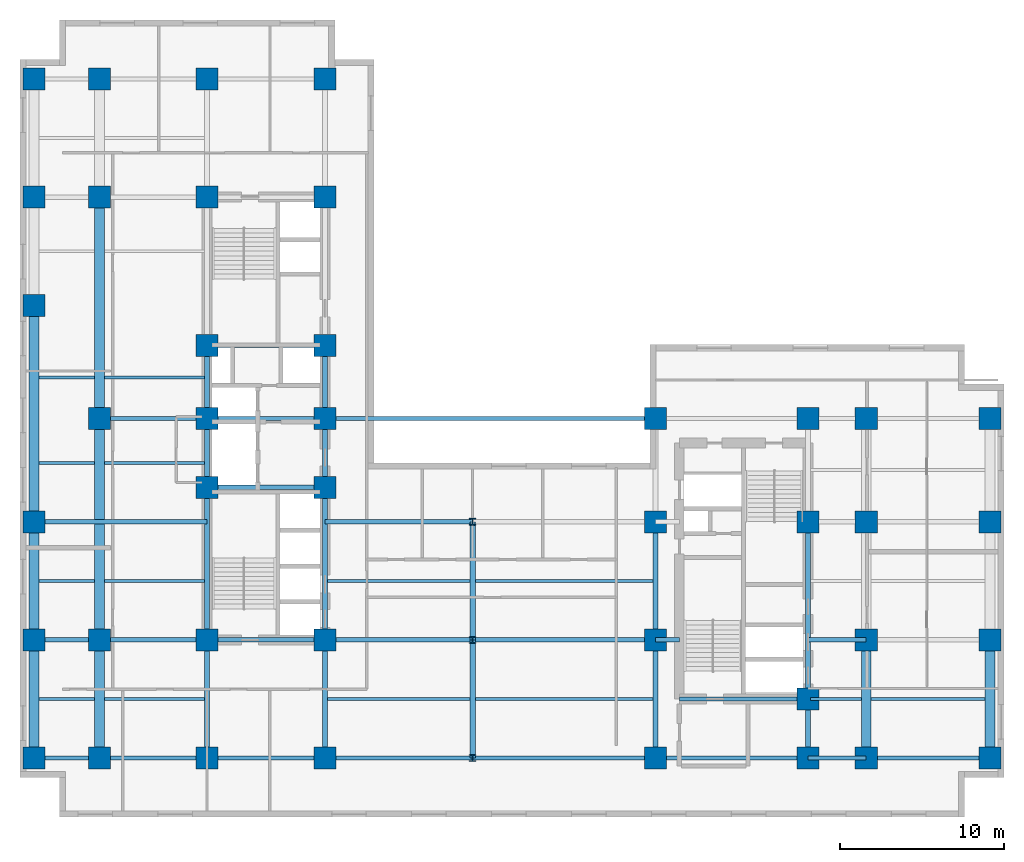
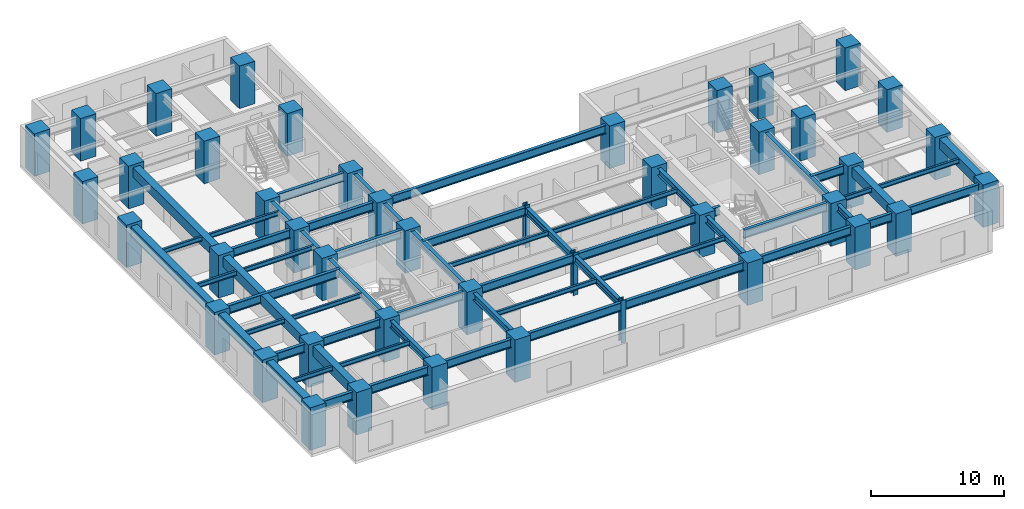
# One storey, part 1 of 9: 59 beams, 44 columns.
"""IFC4 building model written with IfcOpenShell, lengths in metres."""

from ifc_helpers import new_model, entity, si_unit, converted_unit, direction, frame, origin_with_axes, origin_2d_with_axis, place, context, subcontext, project, spatial, rectangle, i_section, extrude, material, material_profile, profile_set, type_object, element, save


model = new_model("IFC4")

# Units and contexts
model_context = context("Model", 3, precision=1e-05, world=origin_with_axes(), true_north=direction((0.0, 1.0)))
body_context = subcontext(model_context, "Body", "Model", "MODEL_VIEW")
ifc_project = project(units=[si_unit("LENGTHUNIT", "METRE"), si_unit("AREAUNIT", "SQUARE_METRE"), si_unit("VOLUMEUNIT", "CUBIC_METRE"), converted_unit("PLANEANGLEUNIT", "DEGREE", entity("IfcPlaneAngleMeasure", 0.017453292519943295), si_unit("PLANEANGLEUNIT", "RADIAN"), dimensions=[0, 0, 0, 0, 0, 0, 0]), si_unit("MASSUNIT", "GRAM", prefix="KILO"), si_unit("THERMODYNAMICTEMPERATUREUNIT", "KELVIN")], contexts=[model_context])

# Site, building, storey
site_placement = place(None, origin_with_axes())
site = spatial("IfcSite", under=ifc_project, at=site_placement, CompositionType="ELEMENT")
building_placement = place(site_placement, origin_with_axes())
building = spatial("IfcBuilding", under=site, at=building_placement, Name="Varnlund Millrace Tower", CompositionType="ELEMENT")
storey_placement = place(building_placement, frame((0.0, 0.0, 71.7), z_axis=(0.0, 0.0, 1.0), x_axis=(1.0, 0.0, 0.0)))
storey = spatial("IfcBuildingStorey", under=building, at=storey_placement, Name="L17", CompositionType="ELEMENT", Elevation=71.7)

# Columns
ifc_material_1 = material(Name="Steel ASTM A913 Grade 65", Category="steel")
ifc_material_profile_1 = material_profile(ifc_material_1, i_section(OverallWidth=0.406, OverallDepth=0.416, WebThickness=0.0298, FlangeThickness=0.048, FilletRadius=0.022, at=origin_2d_with_axis()), Name="Steel ASTM A913 Grade 65")
ifc_profile_set_1 = profile_set([ifc_material_profile_1], Name="Steel ASTM A913 Grade 65")
column_type_1 = type_object("IfcColumnType", Name="Type-Col-Int-W14X257", PredefinedType="COLUMN", material=ifc_profile_set_1)
for number, where, z_axis, x_axis, name in (
    (1, (27.6, 3.6, 0.0), (0.0, 0.0, 1.0), (1.0, 0.0, 0.0), "Type-Col-Int-W14X257"),
    (2, (27.6, 10.8, 0.0), (0.0, 0.0, 1.0), (1.0, 0.0, 0.0), "Type-Col-Int-W14X257"),
    (3, (27.6, 18.0, 0.0), (0.0, 0.0, 1.0), (1.0, 0.0, 0.0), "Type-Col-Int-W14X257"),
):
    element("IfcColumn", number, at=place(storey_placement, frame(where, z_axis=z_axis, x_axis=x_axis)), inside=storey, type_object=column_type_1, Name=name, PredefinedType="COLUMN", context=body_context, shape_type="SweptSolid", body=[
        extrude(i_section(OverallWidth=0.406, OverallDepth=0.416, WebThickness=0.0298, FlangeThickness=0.048, FilletRadius=0.022, at=origin_2d_with_axis()), origin_with_axes(), (0.0, 0.0, 1.0), 3.9),
    ])
ifc_material_2 = material(Name="Concrete C80/95", Category="concrete")
ifc_material_profile_2 = material_profile(ifc_material_2, rectangle(XDim=1.35, YDim=1.35, at=origin_2d_with_axis()), Name="Concrete C80/95")
ifc_profile_set_2 = profile_set([ifc_material_profile_2], Name="Concrete C80/95")
column_type_2 = type_object("IfcColumnType", Name="Type-Col-RC1350-C80", PredefinedType="COLUMN", material=ifc_profile_set_2)
for number, where, z_axis, x_axis, name in (
    (4, (11.4, 3.6, 0.0), (0.0, 0.0, 1.0), (1.0, 0.0, 0.0), "Type-Col-RC1350-C80"),
    (5, (11.4, 10.8, 0.0), (0.0, 0.0, 1.0), (1.0, 0.0, 0.0), "Type-Col-RC1350-C80"),
    (6, (11.4, 20.1, 0.0), (0.0, 0.0, 1.0), (1.0, 0.0, 0.0), "Type-Col-RC1350-C80"),
    (7, (11.4, 24.3, 0.0), (0.0, 0.0, 1.0), (1.0, 0.0, 0.0), "Type-Col-RC1350-C80"),
    (8, (11.4, 28.75, 0.0), (0.0, 0.0, 1.0), (1.0, 0.0, 0.0), "Type-Col-RC1350-C80"),
    (9, (11.4, 37.8, 0.0), (0.0, 0.0, 1.0), (1.0, 0.0, 0.0), "Type-Col-RC1350-C80"),
    (10, (11.4, 45.0, 0.0), (0.0, 0.0, 1.0), (1.0, 0.0, 0.0), "Type-Col-RC1350-C80"),
    (11, (18.6, 3.6, 0.0), (0.0, 0.0, 1.0), (1.0, 0.0, 0.0), "Type-Col-RC1350-C80"),
    (12, (18.6, 10.8, 0.0), (0.0, 0.0, 1.0), (1.0, 0.0, 0.0), "Type-Col-RC1350-C80"),
    (13, (18.6, 20.1, 0.0), (0.0, 0.0, 1.0), (1.0, 0.0, 0.0), "Type-Col-RC1350-C80"),
    (14, (18.6, 24.3, 0.0), (0.0, 0.0, 1.0), (1.0, 0.0, 0.0), "Type-Col-RC1350-C80"),
    (15, (18.6, 28.75, 0.0), (0.0, 0.0, 1.0), (1.0, 0.0, 0.0), "Type-Col-RC1350-C80"),
    (16, (18.6, 37.8, 0.0), (0.0, 0.0, 1.0), (1.0, 0.0, 0.0), "Type-Col-RC1350-C80"),
    (17, (18.6, 45.0, 0.0), (0.0, 0.0, 1.0), (1.0, 0.0, 0.0), "Type-Col-RC1350-C80"),
    (18, (4.85, 3.6, 0.0), (0.0, 0.0, 1.0), (1.0, 0.0, 0.0), "Type-Col-RC1350-C80"),
    (19, (4.85, 10.8, 0.0), (0.0, 0.0, 1.0), (1.0, 0.0, 0.0), "Type-Col-RC1350-C80"),
    (20, (4.85, 24.3, 0.0), (0.0, 0.0, 1.0), (1.0, 0.0, 0.0), "Type-Col-RC1350-C80"),
    (21, (4.85, 37.8, 0.0), (0.0, 0.0, 1.0), (1.0, 0.0, 0.0), "Type-Col-RC1350-C80"),
    (22, (4.85, 45.0, 0.0), (0.0, 0.0, 1.0), (1.0, 0.0, 0.0), "Type-Col-RC1350-C80"),
    (23, (0.85, 3.6, 0.0), (0.0, 0.0, 1.0), (1.0, 0.0, 0.0), "Type-Col-RC1350-C80"),
    (24, (0.85, 10.8, 0.0), (0.0, 0.0, 1.0), (1.0, 0.0, 0.0), "Type-Col-RC1350-C80"),
    (25, (0.85, 18.0, 0.0), (0.0, 0.0, 1.0), (1.0, 0.0, 0.0), "Type-Col-RC1350-C80"),
    (26, (0.85, 31.2, 0.0), (0.0, 0.0, 1.0), (1.0, 0.0, 0.0), "Type-Col-RC1350-C80"),
    (27, (0.85, 37.8, 0.0), (0.0, 0.0, 1.0), (1.0, 0.0, 0.0), "Type-Col-RC1350-C80"),
    (28, (0.85, 45.0, 0.0), (0.0, 0.0, 1.0), (1.0, 0.0, 0.0), "Type-Col-RC1350-C80"),
    (29, (38.75, 3.6, 0.0), (0.0, 0.0, 1.0), (1.0, 0.0, 0.0), "Type-Col-RC1350-C80"),
    (30, (38.75, 10.8, 0.0), (0.0, 0.0, 1.0), (1.0, 0.0, 0.0), "Type-Col-RC1350-C80"),
    (31, (38.75, 18.0, 0.0), (0.0, 0.0, 1.0), (1.0, 0.0, 0.0), "Type-Col-RC1350-C80"),
    (32, (38.75, 24.3, 0.0), (0.0, 0.0, 1.0), (1.0, 0.0, 0.0), "Type-Col-RC1350-C80"),
    (33, (48.05, 3.6, 0.0), (0.0, 0.0, 1.0), (1.0, 0.0, 0.0), "Type-Col-RC1350-C80"),
    (34, (48.05, 7.2, 0.0), (0.0, 0.0, 1.0), (1.0, 0.0, 0.0), "Type-Col-RC1350-C80"),
    (35, (48.05, 18.0, 0.0), (0.0, 0.0, 1.0), (1.0, 0.0, 0.0), "Type-Col-RC1350-C80"),
    (36, (48.05, 24.3, 0.0), (0.0, 0.0, 1.0), (1.0, 0.0, 0.0), "Type-Col-RC1350-C80"),
    (37, (51.6, 3.6, 0.0), (0.0, 0.0, 1.0), (1.0, 0.0, 0.0), "Type-Col-RC1350-C80"),
    (38, (51.6, 10.8, 0.0), (0.0, 0.0, 1.0), (1.0, 0.0, 0.0), "Type-Col-RC1350-C80"),
    (39, (51.6, 18.0, 0.0), (0.0, 0.0, 1.0), (1.0, 0.0, 0.0), "Type-Col-RC1350-C80"),
    (40, (51.6, 24.3, 0.0), (0.0, 0.0, 1.0), (1.0, 0.0, 0.0), "Type-Col-RC1350-C80"),
    (41, (59.15, 3.6, 0.0), (0.0, 0.0, 1.0), (1.0, 0.0, 0.0), "Type-Col-RC1350-C80"),
    (42, (59.15, 10.8, 0.0), (0.0, 0.0, 1.0), (1.0, 0.0, 0.0), "Type-Col-RC1350-C80"),
    (43, (59.15, 18.0, 0.0), (0.0, 0.0, 1.0), (1.0, 0.0, 0.0), "Type-Col-RC1350-C80"),
    (44, (59.15, 24.3, 0.0), (0.0, 0.0, 1.0), (1.0, 0.0, 0.0), "Type-Col-RC1350-C80"),
):
    element("IfcColumn", number, at=place(storey_placement, frame(where, z_axis=z_axis, x_axis=x_axis)), inside=storey, type_object=column_type_2, Name=name, PredefinedType="COLUMN", context=body_context, shape_type="SweptSolid", body=[
        extrude(rectangle(XDim=1.35, YDim=1.35, at=origin_2d_with_axis()), origin_with_axes(), (0.0, 0.0, 1.0), 3.9),
    ])

# Beams
ifc_material_3 = material(Name="Steel ASTM A992 Grade 50", Category="steel")
ifc_material_profile_3 = material_profile(ifc_material_3, i_section(OverallWidth=0.328, OverallDepth=0.628, WebThickness=0.0165, FlangeThickness=0.0277, FilletRadius=0.018, at=origin_2d_with_axis()), Name="Steel ASTM A992 Grade 50")
ifc_profile_set_3 = profile_set([ifc_material_profile_3], Name="Steel ASTM A992 Grade 50")
beam_type_1 = type_object("IfcBeamType", Name="Type-Girder-W24X146", PredefinedType="USERDEFINED", material=ifc_profile_set_3)
beam_1_placement = place(storey_placement, frame((11.4, 3.6, 3.346), z_axis=(0.0, 1.0, 0.0), x_axis=(-1.0, 0.0, 0.0)))
element("IfcBeam", 45, at=beam_1_placement, inside=storey, type_object=beam_type_1, Name="Type-Girder-W24X146", ObjectType="GIRDER", PredefinedType="USERDEFINED", context=body_context, shape_type="SweptSolid", body=[
    extrude(i_section(OverallWidth=0.328, OverallDepth=0.628, WebThickness=0.0165, FlangeThickness=0.0277, FilletRadius=0.018, at=origin_2d_with_axis()), origin_with_axes(), (0.0, 0.0, 1.0), 7.2),
])
beam_2_placement = place(storey_placement, frame((11.4, 10.8, 3.346), z_axis=(0.0, 1.0, 0.0), x_axis=(-1.0, 0.0, 0.0)))
element("IfcBeam", 46, at=beam_2_placement, inside=storey, type_object=beam_type_1, Name="Type-Girder-W24X146", ObjectType="GIRDER", PredefinedType="USERDEFINED", context=body_context, shape_type="SweptSolid", body=[
    extrude(i_section(OverallWidth=0.328, OverallDepth=0.628, WebThickness=0.0165, FlangeThickness=0.0277, FilletRadius=0.018, at=origin_2d_with_axis()), origin_with_axes(), (0.0, 0.0, 1.0), 9.3),
])
beam_3_placement = place(storey_placement, frame((11.4, 20.1, 3.346), z_axis=(0.0, 1.0, 0.0), x_axis=(-1.0, 0.0, 0.0)))
element("IfcBeam", 47, at=beam_3_placement, inside=storey, type_object=beam_type_1, Name="Type-Girder-W24X146", ObjectType="GIRDER", PredefinedType="USERDEFINED", context=body_context, shape_type="SweptSolid", body=[
    extrude(i_section(OverallWidth=0.328, OverallDepth=0.628, WebThickness=0.0165, FlangeThickness=0.0277, FilletRadius=0.018, at=origin_2d_with_axis()), origin_with_axes(), (0.0, 0.0, 1.0), 4.2),
])
beam_4_placement = place(storey_placement, frame((11.4, 24.3, 3.346), z_axis=(0.0, 1.0, 0.0), x_axis=(-1.0, 0.0, 0.0)))
element("IfcBeam", 48, at=beam_4_placement, inside=storey, type_object=beam_type_1, Name="Type-Girder-W24X146", ObjectType="GIRDER", PredefinedType="USERDEFINED", context=body_context, shape_type="SweptSolid", body=[
    extrude(i_section(OverallWidth=0.328, OverallDepth=0.628, WebThickness=0.0165, FlangeThickness=0.0277, FilletRadius=0.018, at=origin_2d_with_axis()), origin_with_axes(), (0.0, 0.0, 1.0), 4.45),
])
beam_5_placement = place(storey_placement, frame((18.6, 3.6, 3.346), z_axis=(0.0, 1.0, 0.0), x_axis=(-1.0, 0.0, 0.0)))
element("IfcBeam", 49, at=beam_5_placement, inside=storey, type_object=beam_type_1, Name="Type-Girder-W24X146", ObjectType="GIRDER", PredefinedType="USERDEFINED", context=body_context, shape_type="SweptSolid", body=[
    extrude(i_section(OverallWidth=0.328, OverallDepth=0.628, WebThickness=0.0165, FlangeThickness=0.0277, FilletRadius=0.018, at=origin_2d_with_axis()), origin_with_axes(), (0.0, 0.0, 1.0), 7.2),
])
beam_6_placement = place(storey_placement, frame((18.6, 10.8, 3.346), z_axis=(0.0, 1.0, 0.0), x_axis=(-1.0, 0.0, 0.0)))
element("IfcBeam", 50, at=beam_6_placement, inside=storey, type_object=beam_type_1, Name="Type-Girder-W24X146", ObjectType="GIRDER", PredefinedType="USERDEFINED", context=body_context, shape_type="SweptSolid", body=[
    extrude(i_section(OverallWidth=0.328, OverallDepth=0.628, WebThickness=0.0165, FlangeThickness=0.0277, FilletRadius=0.018, at=origin_2d_with_axis()), origin_with_axes(), (0.0, 0.0, 1.0), 9.3),
])
beam_7_placement = place(storey_placement, frame((18.6, 20.1, 3.346), z_axis=(0.0, 1.0, 0.0), x_axis=(-1.0, 0.0, 0.0)))
element("IfcBeam", 51, at=beam_7_placement, inside=storey, type_object=beam_type_1, Name="Type-Girder-W24X146", ObjectType="GIRDER", PredefinedType="USERDEFINED", context=body_context, shape_type="SweptSolid", body=[
    extrude(i_section(OverallWidth=0.328, OverallDepth=0.628, WebThickness=0.0165, FlangeThickness=0.0277, FilletRadius=0.018, at=origin_2d_with_axis()), origin_with_axes(), (0.0, 0.0, 1.0), 4.2),
])
beam_8_placement = place(storey_placement, frame((18.6, 24.3, 3.346), z_axis=(0.0, 1.0, 0.0), x_axis=(-1.0, 0.0, 0.0)))
element("IfcBeam", 52, at=beam_8_placement, inside=storey, type_object=beam_type_1, Name="Type-Girder-W24X146", ObjectType="GIRDER", PredefinedType="USERDEFINED", context=body_context, shape_type="SweptSolid", body=[
    extrude(i_section(OverallWidth=0.328, OverallDepth=0.628, WebThickness=0.0165, FlangeThickness=0.0277, FilletRadius=0.018, at=origin_2d_with_axis()), origin_with_axes(), (0.0, 0.0, 1.0), 4.45),
])
for number, where, z_axis, x_axis, name in (
    (53, (27.6, 3.6, 3.346), (0.0, 1.0, 0.0), (-1.0, 0.0, 0.0), "Type-Girder-W24X146"),
    (54, (27.6, 10.8, 3.346), (0.0, 1.0, 0.0), (-1.0, 0.0, 0.0), "Type-Girder-W24X146"),
    (55, (38.75, 3.6, 3.346), (0.0, 1.0, 0.0), (-1.0, 0.0, 0.0), "Type-Girder-W24X146"),
    (56, (38.75, 10.8, 3.346), (0.0, 1.0, 0.0), (-1.0, 0.0, 0.0), "Type-Girder-W24X146"),
):
    element("IfcBeam", number, at=place(storey_placement, frame(where, z_axis=z_axis, x_axis=x_axis)), inside=storey, type_object=beam_type_1, Name=name, ObjectType="GIRDER", PredefinedType="USERDEFINED", context=body_context, shape_type="SweptSolid", body=[
        extrude(i_section(OverallWidth=0.328, OverallDepth=0.628, WebThickness=0.0165, FlangeThickness=0.0277, FilletRadius=0.018, at=origin_2d_with_axis()), origin_with_axes(), (0.0, 0.0, 1.0), 7.2),
    ])
beam_9_placement = place(storey_placement, frame((48.05, 3.6, 3.346), z_axis=(0.0, 1.0, 0.0), x_axis=(-1.0, 0.0, 0.0)))
element("IfcBeam", 57, at=beam_9_placement, inside=storey, type_object=beam_type_1, Name="Type-Girder-W24X146", ObjectType="GIRDER", PredefinedType="USERDEFINED", context=body_context, shape_type="SweptSolid", body=[
    extrude(i_section(OverallWidth=0.328, OverallDepth=0.628, WebThickness=0.0165, FlangeThickness=0.0277, FilletRadius=0.018, at=origin_2d_with_axis()), origin_with_axes(), (0.0, 0.0, 1.0), 3.6),
])
beam_10_placement = place(storey_placement, frame((48.05, 7.2, 3.346), z_axis=(0.0, 1.0, 0.0), x_axis=(-1.0, 0.0, 0.0)))
element("IfcBeam", 58, at=beam_10_placement, inside=storey, type_object=beam_type_1, Name="Type-Girder-W24X146", ObjectType="GIRDER", PredefinedType="USERDEFINED", context=body_context, shape_type="SweptSolid", body=[
    extrude(i_section(OverallWidth=0.328, OverallDepth=0.628, WebThickness=0.0165, FlangeThickness=0.0277, FilletRadius=0.018, at=origin_2d_with_axis()), origin_with_axes(), (0.0, 0.0, 1.0), 10.8),
])
ifc_material_profile_4 = material_profile(ifc_material_3, i_section(OverallWidth=0.266, OverallDepth=0.779, WebThickness=0.0165, FlangeThickness=0.03, FilletRadius=0.02, at=origin_2d_with_axis()), Name="Steel ASTM A992 Grade 50")
ifc_profile_set_4 = profile_set([ifc_material_profile_4], Name="Steel ASTM A992 Grade 50")
beam_type_2 = type_object("IfcBeamType", Name="Type-Girder-W30X148", PredefinedType="USERDEFINED", material=ifc_profile_set_4)
beam_11_placement = place(storey_placement, frame((0.85, 3.6, 3.2705), z_axis=(1.0, 0.0, 0.0), x_axis=(0.0, 1.0, 0.0)))
element("IfcBeam", 59, at=beam_11_placement, inside=storey, type_object=beam_type_2, Name="Type-Girder-W30X148", ObjectType="GIRDER", PredefinedType="USERDEFINED", context=body_context, shape_type="SweptSolid", body=[
    extrude(i_section(OverallWidth=0.266, OverallDepth=0.779, WebThickness=0.0165, FlangeThickness=0.03, FilletRadius=0.02, at=origin_2d_with_axis()), origin_with_axes(), (0.0, 0.0, 1.0), 4.0),
])
beam_12_placement = place(storey_placement, frame((4.85, 3.6, 3.2705), z_axis=(1.0, 0.0, 0.0), x_axis=(0.0, 1.0, 0.0)))
element("IfcBeam", 60, at=beam_12_placement, inside=storey, type_object=beam_type_2, Name="Type-Girder-W30X148", ObjectType="GIRDER", PredefinedType="USERDEFINED", context=body_context, shape_type="SweptSolid", body=[
    extrude(i_section(OverallWidth=0.266, OverallDepth=0.779, WebThickness=0.0165, FlangeThickness=0.03, FilletRadius=0.02, at=origin_2d_with_axis()), origin_with_axes(), (0.0, 0.0, 1.0), 6.55),
])
beam_13_placement = place(storey_placement, frame((11.4, 3.6, 3.2705), z_axis=(1.0, 0.0, 0.0), x_axis=(0.0, 1.0, 0.0)))
element("IfcBeam", 61, at=beam_13_placement, inside=storey, type_object=beam_type_2, Name="Type-Girder-W30X148", ObjectType="GIRDER", PredefinedType="USERDEFINED", context=body_context, shape_type="SweptSolid", body=[
    extrude(i_section(OverallWidth=0.266, OverallDepth=0.779, WebThickness=0.0165, FlangeThickness=0.03, FilletRadius=0.02, at=origin_2d_with_axis()), origin_with_axes(), (0.0, 0.0, 1.0), 7.2),
])
beam_14_placement = place(storey_placement, frame((18.6, 3.6, 3.2705), z_axis=(1.0, 0.0, 0.0), x_axis=(0.0, 1.0, 0.0)))
element("IfcBeam", 62, at=beam_14_placement, inside=storey, type_object=beam_type_2, Name="Type-Girder-W30X148", ObjectType="GIRDER", PredefinedType="USERDEFINED", context=body_context, shape_type="SweptSolid", body=[
    extrude(i_section(OverallWidth=0.266, OverallDepth=0.779, WebThickness=0.0165, FlangeThickness=0.03, FilletRadius=0.02, at=origin_2d_with_axis()), origin_with_axes(), (0.0, 0.0, 1.0), 9.0),
])
beam_15_placement = place(storey_placement, frame((27.6, 3.6, 3.2705), z_axis=(1.0, 0.0, 0.0), x_axis=(0.0, 1.0, 0.0)))
element("IfcBeam", 63, at=beam_15_placement, inside=storey, type_object=beam_type_2, Name="Type-Girder-W30X148", ObjectType="GIRDER", PredefinedType="USERDEFINED", context=body_context, shape_type="SweptSolid", body=[
    extrude(i_section(OverallWidth=0.266, OverallDepth=0.779, WebThickness=0.0165, FlangeThickness=0.03, FilletRadius=0.02, at=origin_2d_with_axis()), origin_with_axes(), (0.0, 0.0, 1.0), 11.15),
])
beam_16_placement = place(storey_placement, frame((38.75, 3.6, 3.2705), z_axis=(1.0, 0.0, 0.0), x_axis=(0.0, 1.0, 0.0)))
element("IfcBeam", 64, at=beam_16_placement, inside=storey, type_object=beam_type_2, Name="Type-Girder-W30X148", ObjectType="GIRDER", PredefinedType="USERDEFINED", context=body_context, shape_type="SweptSolid", body=[
    extrude(i_section(OverallWidth=0.266, OverallDepth=0.779, WebThickness=0.0165, FlangeThickness=0.03, FilletRadius=0.02, at=origin_2d_with_axis()), origin_with_axes(), (0.0, 0.0, 1.0), 9.3),
])
beam_17_placement = place(storey_placement, frame((48.05, 3.6, 3.2705), z_axis=(1.0, 0.0, 0.0), x_axis=(0.0, 1.0, 0.0)))
element("IfcBeam", 65, at=beam_17_placement, inside=storey, type_object=beam_type_2, Name="Type-Girder-W30X148", ObjectType="GIRDER", PredefinedType="USERDEFINED", context=body_context, shape_type="SweptSolid", body=[
    extrude(i_section(OverallWidth=0.266, OverallDepth=0.779, WebThickness=0.0165, FlangeThickness=0.03, FilletRadius=0.02, at=origin_2d_with_axis()), origin_with_axes(), (0.0, 0.0, 1.0), 3.55),
])
beam_18_placement = place(storey_placement, frame((51.6, 3.6, 3.2705), z_axis=(1.0, 0.0, 0.0), x_axis=(0.0, 1.0, 0.0)))
element("IfcBeam", 66, at=beam_18_placement, inside=storey, type_object=beam_type_2, Name="Type-Girder-W30X148", ObjectType="GIRDER", PredefinedType="USERDEFINED", context=body_context, shape_type="SweptSolid", body=[
    extrude(i_section(OverallWidth=0.266, OverallDepth=0.779, WebThickness=0.0165, FlangeThickness=0.03, FilletRadius=0.02, at=origin_2d_with_axis()), origin_with_axes(), (0.0, 0.0, 1.0), 7.55),
])
beam_19_placement = place(storey_placement, frame((40.2, 7.2, 3.2705), z_axis=(1.0, 0.0, 0.0), x_axis=(0.0, 1.0, 0.0)))
element("IfcBeam", 67, at=beam_19_placement, inside=storey, type_object=beam_type_2, Name="Type-Girder-W30X148", ObjectType="GIRDER", PredefinedType="USERDEFINED", context=body_context, shape_type="SweptSolid", body=[
    extrude(i_section(OverallWidth=0.266, OverallDepth=0.779, WebThickness=0.0165, FlangeThickness=0.03, FilletRadius=0.02, at=origin_2d_with_axis()), origin_with_axes(), (0.0, 0.0, 1.0), 7.85),
])
beam_20_placement = place(storey_placement, frame((0.85, 10.8, 3.2705), z_axis=(1.0, 0.0, 0.0), x_axis=(0.0, 1.0, 0.0)))
element("IfcBeam", 68, at=beam_20_placement, inside=storey, type_object=beam_type_2, Name="Type-Girder-W30X148", ObjectType="GIRDER", PredefinedType="USERDEFINED", context=body_context, shape_type="SweptSolid", body=[
    extrude(i_section(OverallWidth=0.266, OverallDepth=0.779, WebThickness=0.0165, FlangeThickness=0.03, FilletRadius=0.02, at=origin_2d_with_axis()), origin_with_axes(), (0.0, 0.0, 1.0), 4.0),
])
beam_21_placement = place(storey_placement, frame((4.85, 10.8, 3.2705), z_axis=(1.0, 0.0, 0.0), x_axis=(0.0, 1.0, 0.0)))
element("IfcBeam", 69, at=beam_21_placement, inside=storey, type_object=beam_type_2, Name="Type-Girder-W30X148", ObjectType="GIRDER", PredefinedType="USERDEFINED", context=body_context, shape_type="SweptSolid", body=[
    extrude(i_section(OverallWidth=0.266, OverallDepth=0.779, WebThickness=0.0165, FlangeThickness=0.03, FilletRadius=0.02, at=origin_2d_with_axis()), origin_with_axes(), (0.0, 0.0, 1.0), 6.55),
])
beam_22_placement = place(storey_placement, frame((11.4, 10.8, 3.2705), z_axis=(1.0, 0.0, 0.0), x_axis=(0.0, 1.0, 0.0)))
element("IfcBeam", 70, at=beam_22_placement, inside=storey, type_object=beam_type_2, Name="Type-Girder-W30X148", ObjectType="GIRDER", PredefinedType="USERDEFINED", context=body_context, shape_type="SweptSolid", body=[
    extrude(i_section(OverallWidth=0.266, OverallDepth=0.779, WebThickness=0.0165, FlangeThickness=0.03, FilletRadius=0.02, at=origin_2d_with_axis()), origin_with_axes(), (0.0, 0.0, 1.0), 7.2),
])
beam_23_placement = place(storey_placement, frame((18.6, 10.8, 3.2705), z_axis=(1.0, 0.0, 0.0), x_axis=(0.0, 1.0, 0.0)))
element("IfcBeam", 71, at=beam_23_placement, inside=storey, type_object=beam_type_2, Name="Type-Girder-W30X148", ObjectType="GIRDER", PredefinedType="USERDEFINED", context=body_context, shape_type="SweptSolid", body=[
    extrude(i_section(OverallWidth=0.266, OverallDepth=0.779, WebThickness=0.0165, FlangeThickness=0.03, FilletRadius=0.02, at=origin_2d_with_axis()), origin_with_axes(), (0.0, 0.0, 1.0), 9.0),
])
beam_24_placement = place(storey_placement, frame((27.6, 10.8, 3.2705), z_axis=(1.0, 0.0, 0.0), x_axis=(0.0, 1.0, 0.0)))
element("IfcBeam", 72, at=beam_24_placement, inside=storey, type_object=beam_type_2, Name="Type-Girder-W30X148", ObjectType="GIRDER", PredefinedType="USERDEFINED", context=body_context, shape_type="SweptSolid", body=[
    extrude(i_section(OverallWidth=0.266, OverallDepth=0.779, WebThickness=0.0165, FlangeThickness=0.03, FilletRadius=0.02, at=origin_2d_with_axis()), origin_with_axes(), (0.0, 0.0, 1.0), 11.15),
])
beam_25_placement = place(storey_placement, frame((38.75, 10.8, 3.2705), z_axis=(1.0, 0.0, 0.0), x_axis=(0.0, 1.0, 0.0)))
element("IfcBeam", 73, at=beam_25_placement, inside=storey, type_object=beam_type_2, Name="Type-Girder-W30X148", ObjectType="GIRDER", PredefinedType="USERDEFINED", context=body_context, shape_type="SweptSolid", body=[
    extrude(i_section(OverallWidth=0.266, OverallDepth=0.779, WebThickness=0.0165, FlangeThickness=0.03, FilletRadius=0.02, at=origin_2d_with_axis()), origin_with_axes(), (0.0, 0.0, 1.0), 1.45),
])
beam_26_placement = place(storey_placement, frame((48.05, 10.8, 3.2705), z_axis=(1.0, 0.0, 0.0), x_axis=(0.0, 1.0, 0.0)))
element("IfcBeam", 74, at=beam_26_placement, inside=storey, type_object=beam_type_2, Name="Type-Girder-W30X148", ObjectType="GIRDER", PredefinedType="USERDEFINED", context=body_context, shape_type="SweptSolid", body=[
    extrude(i_section(OverallWidth=0.266, OverallDepth=0.779, WebThickness=0.0165, FlangeThickness=0.03, FilletRadius=0.02, at=origin_2d_with_axis()), origin_with_axes(), (0.0, 0.0, 1.0), 3.55),
])
beam_27_placement = place(storey_placement, frame((0.85, 18.0, 3.2705), z_axis=(1.0, 0.0, 0.0), x_axis=(0.0, 1.0, 0.0)))
element("IfcBeam", 75, at=beam_27_placement, inside=storey, type_object=beam_type_2, Name="Type-Girder-W30X148", ObjectType="GIRDER", PredefinedType="USERDEFINED", context=body_context, shape_type="SweptSolid", body=[
    extrude(i_section(OverallWidth=0.266, OverallDepth=0.779, WebThickness=0.0165, FlangeThickness=0.03, FilletRadius=0.02, at=origin_2d_with_axis()), origin_with_axes(), (0.0, 0.0, 1.0), 10.55),
])
beam_28_placement = place(storey_placement, frame((18.6, 18.0, 3.2705), z_axis=(1.0, 0.0, 0.0), x_axis=(0.0, 1.0, 0.0)))
element("IfcBeam", 76, at=beam_28_placement, inside=storey, type_object=beam_type_2, Name="Type-Girder-W30X148", ObjectType="GIRDER", PredefinedType="USERDEFINED", context=body_context, shape_type="SweptSolid", body=[
    extrude(i_section(OverallWidth=0.266, OverallDepth=0.779, WebThickness=0.0165, FlangeThickness=0.03, FilletRadius=0.02, at=origin_2d_with_axis()), origin_with_axes(), (0.0, 0.0, 1.0), 9.0),
])
beam_29_placement = place(storey_placement, frame((11.4, 20.1, 3.2705), z_axis=(1.0, 0.0, 0.0), x_axis=(0.0, 1.0, 0.0)))
element("IfcBeam", 77, at=beam_29_placement, inside=storey, type_object=beam_type_2, Name="Type-Girder-W30X148", ObjectType="GIRDER", PredefinedType="USERDEFINED", context=body_context, shape_type="SweptSolid", body=[
    extrude(i_section(OverallWidth=0.266, OverallDepth=0.779, WebThickness=0.0165, FlangeThickness=0.03, FilletRadius=0.02, at=origin_2d_with_axis()), origin_with_axes(), (0.0, 0.0, 1.0), 7.2),
])
beam_30_placement = place(storey_placement, frame((4.85, 24.3, 3.2705), z_axis=(1.0, 0.0, 0.0), x_axis=(0.0, 1.0, 0.0)))
element("IfcBeam", 78, at=beam_30_placement, inside=storey, type_object=beam_type_2, Name="Type-Girder-W30X148", ObjectType="GIRDER", PredefinedType="USERDEFINED", context=body_context, shape_type="SweptSolid", body=[
    extrude(i_section(OverallWidth=0.266, OverallDepth=0.779, WebThickness=0.0165, FlangeThickness=0.03, FilletRadius=0.02, at=origin_2d_with_axis()), origin_with_axes(), (0.0, 0.0, 1.0), 6.55),
])
beam_31_placement = place(storey_placement, frame((11.4, 24.3, 3.2705), z_axis=(1.0, 0.0, 0.0), x_axis=(0.0, 1.0, 0.0)))
element("IfcBeam", 79, at=beam_31_placement, inside=storey, type_object=beam_type_2, Name="Type-Girder-W30X148", ObjectType="GIRDER", PredefinedType="USERDEFINED", context=body_context, shape_type="SweptSolid", body=[
    extrude(i_section(OverallWidth=0.266, OverallDepth=0.779, WebThickness=0.0165, FlangeThickness=0.03, FilletRadius=0.02, at=origin_2d_with_axis()), origin_with_axes(), (0.0, 0.0, 1.0), 7.2),
])
beam_32_placement = place(storey_placement, frame((18.6, 24.3, 3.2705), z_axis=(1.0, 0.0, 0.0), x_axis=(0.0, 1.0, 0.0)))
element("IfcBeam", 80, at=beam_32_placement, inside=storey, type_object=beam_type_2, Name="Type-Girder-W30X148", ObjectType="GIRDER", PredefinedType="USERDEFINED", context=body_context, shape_type="SweptSolid", body=[
    extrude(i_section(OverallWidth=0.266, OverallDepth=0.779, WebThickness=0.0165, FlangeThickness=0.03, FilletRadius=0.02, at=origin_2d_with_axis()), origin_with_axes(), (0.0, 0.0, 1.0), 20.15),
])
beam_33_placement = place(storey_placement, frame((11.4, 28.75, 3.2705), z_axis=(1.0, 0.0, 0.0), x_axis=(0.0, 1.0, 0.0)))
element("IfcBeam", 81, at=beam_33_placement, inside=storey, type_object=beam_type_2, Name="Type-Girder-W30X148", ObjectType="GIRDER", PredefinedType="USERDEFINED", context=body_context, shape_type="SweptSolid", body=[
    extrude(i_section(OverallWidth=0.266, OverallDepth=0.779, WebThickness=0.0165, FlangeThickness=0.03, FilletRadius=0.02, at=origin_2d_with_axis()), origin_with_axes(), (0.0, 0.0, 1.0), 7.2),
])
ifc_material_profile_5 = material_profile(ifc_material_3, i_section(OverallWidth=0.181, OverallDepth=0.417, WebThickness=0.0109, FlangeThickness=0.0182, FilletRadius=0.013, at=origin_2d_with_axis()), Name="Steel ASTM A992 Grade 50")
ifc_profile_set_5 = profile_set([ifc_material_profile_5], Name="Steel ASTM A992 Grade 50")
beam_type_3 = type_object("IfcBeamType", Name="Type-Joist-W16X57", PredefinedType="JOIST", material=ifc_profile_set_5)
for number, where, z_axis, x_axis, name in (
    (82, (1.15, 7.2, 3.4515), (1.0, 0.0, 0.0), (0.0, 1.0, 0.0), "Type-Joist-W16X57"),
    (83, (1.15, 14.4, 3.4515), (1.0, 0.0, 0.0), (0.0, 1.0, 0.0), "Type-Joist-W16X57"),
    (84, (1.15, 21.6, 3.4515), (1.0, 0.0, 0.0), (0.0, 1.0, 0.0), "Type-Joist-W16X57"),
    (85, (1.15, 26.8, 3.4515), (1.0, 0.0, 0.0), (0.0, 1.0, 0.0), "Type-Joist-W16X57"),
):
    element("IfcBeam", number, at=place(storey_placement, frame(where, z_axis=z_axis, x_axis=x_axis)), inside=storey, type_object=beam_type_3, Name=name, PredefinedType="JOIST", context=body_context, shape_type="SweptSolid", body=[
        extrude(i_section(OverallWidth=0.181, OverallDepth=0.417, WebThickness=0.0109, FlangeThickness=0.0182, FilletRadius=0.013, at=origin_2d_with_axis()), origin_with_axes(), (0.0, 0.0, 1.0), 3.4),
    ])
for number, where, z_axis, x_axis, name in (
    (86, (5.15, 7.2, 3.4515), (1.0, 0.0, 0.0), (0.0, 1.0, 0.0), "Type-Joist-W16X57"),
    (87, (5.15, 14.4, 3.4515), (1.0, 0.0, 0.0), (0.0, 1.0, 0.0), "Type-Joist-W16X57"),
    (88, (5.15, 21.6, 3.4515), (1.0, 0.0, 0.0), (0.0, 1.0, 0.0), "Type-Joist-W16X57"),
    (89, (5.15, 26.8, 3.4515), (1.0, 0.0, 0.0), (0.0, 1.0, 0.0), "Type-Joist-W16X57"),
):
    element("IfcBeam", number, at=place(storey_placement, frame(where, z_axis=z_axis, x_axis=x_axis)), inside=storey, type_object=beam_type_3, Name=name, PredefinedType="JOIST", context=body_context, shape_type="SweptSolid", body=[
        extrude(i_section(OverallWidth=0.181, OverallDepth=0.417, WebThickness=0.0109, FlangeThickness=0.0182, FilletRadius=0.013, at=origin_2d_with_axis()), origin_with_axes(), (0.0, 0.0, 1.0), 6.086),
    ])
beam_34_placement = place(storey_placement, frame((48.214, 7.2, 3.4515), z_axis=(1.0, 0.0, 0.0), x_axis=(0.0, 1.0, 0.0)))
element("IfcBeam", 90, at=beam_34_placement, inside=storey, type_object=beam_type_3, Name="Type-Joist-W16X57", PredefinedType="JOIST", context=body_context, shape_type="SweptSolid", body=[
    extrude(i_section(OverallWidth=0.181, OverallDepth=0.417, WebThickness=0.0109, FlangeThickness=0.0182, FilletRadius=0.013, at=origin_2d_with_axis()), origin_with_axes(), (0.0, 0.0, 1.0), 3.086),
])
beam_35_placement = place(storey_placement, frame((51.9, 7.2, 3.4515), z_axis=(1.0, 0.0, 0.0), x_axis=(0.0, 1.0, 0.0)))
element("IfcBeam", 91, at=beam_35_placement, inside=storey, type_object=beam_type_3, Name="Type-Joist-W16X57", PredefinedType="JOIST", context=body_context, shape_type="SweptSolid", body=[
    extrude(i_section(OverallWidth=0.181, OverallDepth=0.417, WebThickness=0.0109, FlangeThickness=0.0182, FilletRadius=0.013, at=origin_2d_with_axis()), origin_with_axes(), (0.0, 0.0, 1.0), 6.95),
])
for number, where, z_axis, x_axis, name in (
    (92, (18.764, 7.2, 3.4515), (1.0, 0.0, 0.0), (0.0, 1.0, 0.0), "Type-Joist-W16X57"),
    (93, (18.764, 14.4, 3.4515), (1.0, 0.0, 0.0), (0.0, 1.0, 0.0), "Type-Joist-W16X57"),
):
    element("IfcBeam", number, at=place(storey_placement, frame(where, z_axis=z_axis, x_axis=x_axis)), inside=storey, type_object=beam_type_3, Name=name, PredefinedType="JOIST", context=body_context, shape_type="SweptSolid", body=[
        extrude(i_section(OverallWidth=0.181, OverallDepth=0.417, WebThickness=0.0109, FlangeThickness=0.0182, FilletRadius=0.013, at=origin_2d_with_axis()), origin_with_axes(), (0.0, 0.0, 1.0), 8.672),
    ])
for number, where, z_axis, x_axis, name in (
    (94, (27.764, 7.2, 3.4515), (1.0, 0.0, 0.0), (0.0, 1.0, 0.0), "Type-Joist-W16X57"),
    (95, (27.764, 14.4, 3.4515), (1.0, 0.0, 0.0), (0.0, 1.0, 0.0), "Type-Joist-W16X57"),
):
    element("IfcBeam", number, at=place(storey_placement, frame(where, z_axis=z_axis, x_axis=x_axis)), inside=storey, type_object=beam_type_3, Name=name, PredefinedType="JOIST", context=body_context, shape_type="SweptSolid", body=[
        extrude(i_section(OverallWidth=0.181, OverallDepth=0.417, WebThickness=0.0109, FlangeThickness=0.0182, FilletRadius=0.013, at=origin_2d_with_axis()), origin_with_axes(), (0.0, 0.0, 1.0), 10.822),
    ])
ifc_material_4 = material(Name="Concrete C70/85", Category="concrete")
ifc_material_profile_6 = material_profile(ifc_material_4, rectangle(XDim=0.6, YDim=0.9, at=origin_2d_with_axis()), Name="Concrete C70/85")
ifc_profile_set_6 = profile_set([ifc_material_profile_6], Name="Concrete C70/85")
beam_type_4 = type_object("IfcBeamType", Name="Type-Spandrel-RC600X900", PredefinedType="SPANDREL", material=ifc_profile_set_6)
for number, where, z_axis, x_axis, name in (
    (96, (0.85, 3.6, 3.21), (0.0, 1.0, 0.0), (-1.0, 0.0, 0.0), "Type-Spandrel-RC600X900"),
    (97, (0.85, 10.8, 3.21), (0.0, 1.0, 0.0), (-1.0, 0.0, 0.0), "Type-Spandrel-RC600X900"),
):
    element("IfcBeam", number, at=place(storey_placement, frame(where, z_axis=z_axis, x_axis=x_axis)), inside=storey, type_object=beam_type_4, Name=name, PredefinedType="SPANDREL", context=body_context, shape_type="SweptSolid", body=[
        extrude(rectangle(XDim=0.6, YDim=0.9, at=origin_2d_with_axis()), origin_with_axes(), (0.0, 0.0, 1.0), 7.2),
    ])
beam_36_placement = place(storey_placement, frame((0.85, 18.0, 3.21), z_axis=(0.0, 1.0, 0.0), x_axis=(-1.0, 0.0, 0.0)))
element("IfcBeam", 98, at=beam_36_placement, inside=storey, type_object=beam_type_4, Name="Type-Spandrel-RC600X900", PredefinedType="SPANDREL", context=body_context, shape_type="SweptSolid", body=[
    extrude(rectangle(XDim=0.6, YDim=0.9, at=origin_2d_with_axis()), origin_with_axes(), (0.0, 0.0, 1.0), 13.2),
])
beam_37_placement = place(storey_placement, frame((4.85, 3.6, 3.21), z_axis=(0.0, 1.0, 0.0), x_axis=(-1.0, 0.0, 0.0)))
element("IfcBeam", 99, at=beam_37_placement, inside=storey, type_object=beam_type_4, Name="Type-Spandrel-RC600X900", PredefinedType="SPANDREL", context=body_context, shape_type="SweptSolid", body=[
    extrude(rectangle(XDim=0.6, YDim=0.9, at=origin_2d_with_axis()), origin_with_axes(), (0.0, 0.0, 1.0), 7.2),
])
for number, where, z_axis, x_axis, name in (
    (100, (4.85, 10.8, 3.21), (0.0, 1.0, 0.0), (-1.0, 0.0, 0.0), "Type-Spandrel-RC600X900"),
    (101, (4.85, 24.3, 3.21), (0.0, 1.0, 0.0), (-1.0, 0.0, 0.0), "Type-Spandrel-RC600X900"),
):
    element("IfcBeam", number, at=place(storey_placement, frame(where, z_axis=z_axis, x_axis=x_axis)), inside=storey, type_object=beam_type_4, Name=name, PredefinedType="SPANDREL", context=body_context, shape_type="SweptSolid", body=[
        extrude(rectangle(XDim=0.6, YDim=0.9, at=origin_2d_with_axis()), origin_with_axes(), (0.0, 0.0, 1.0), 13.5),
    ])
for number, where, z_axis, x_axis, name in (
    (102, (51.6, 3.6, 3.21), (0.0, 1.0, 0.0), (-1.0, 0.0, 0.0), "Type-Spandrel-RC600X900"),
    (103, (59.15, 3.6, 3.21), (0.0, 1.0, 0.0), (-1.0, 0.0, 0.0), "Type-Spandrel-RC600X900"),
):
    element("IfcBeam", number, at=place(storey_placement, frame(where, z_axis=z_axis, x_axis=x_axis)), inside=storey, type_object=beam_type_4, Name=name, PredefinedType="SPANDREL", context=body_context, shape_type="SweptSolid", body=[
        extrude(rectangle(XDim=0.6, YDim=0.9, at=origin_2d_with_axis()), origin_with_axes(), (0.0, 0.0, 1.0), 7.2),
    ])

save(model, "model.ifc")
